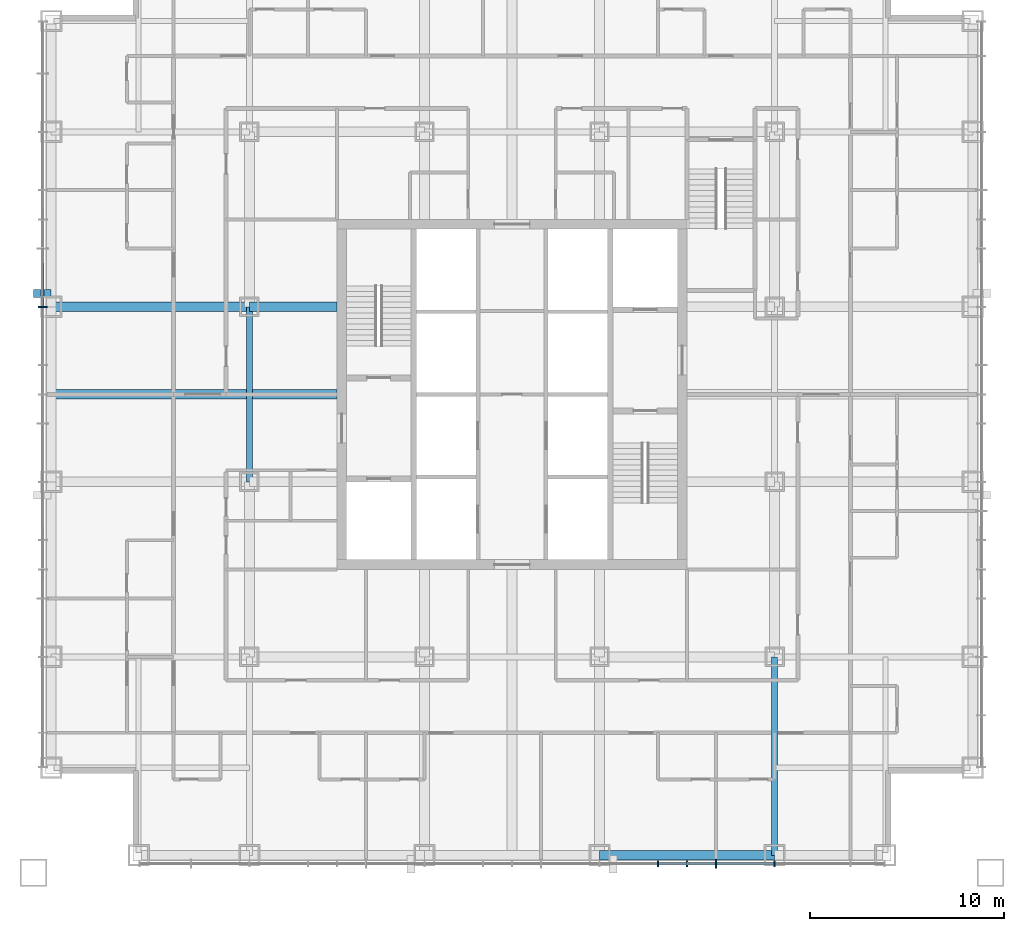
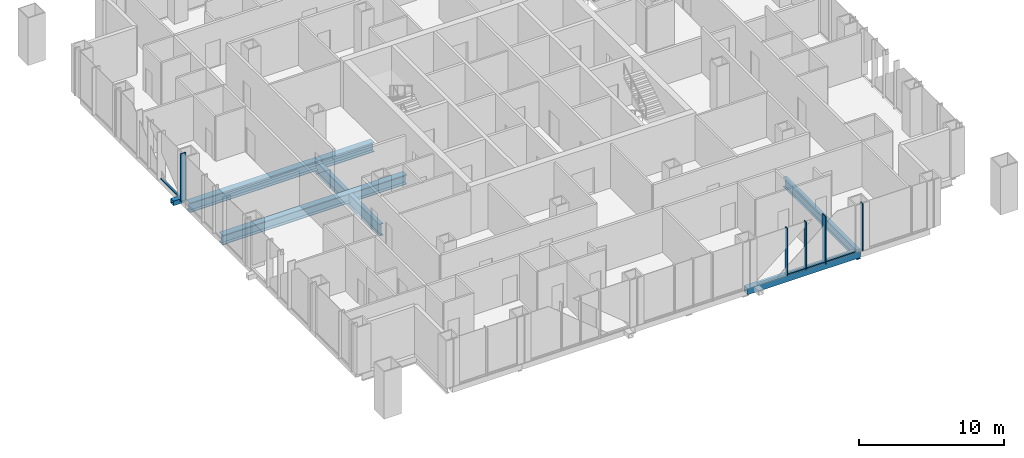
# One storey, part 3 of 18: 10 members, 6 beams, 2 elements without a shape of their own.
"""IFC4 building model written with IfcOpenShell, lengths in metres."""

from ifc_helpers import new_model, si_unit, direction, frame, origin, origin_2d, place, context, subcontext, project, spatial, rectangle, hollow_rectangle, i_section, extrude, material, layer, layer_set, material_profile, profile_set, type_object, element, aggregate, save


model = new_model("IFC4")

# Units and contexts
model_context = context("Model", 3, precision=1e-05, world=origin(), true_north=direction((0.0, 1.0)))
body_context = subcontext(model_context, "Body", "Model", "MODEL_VIEW")
ifc_project = project(units=[si_unit("LENGTHUNIT", "METRE"), si_unit("AREAUNIT", "SQUARE_METRE"), si_unit("VOLUMEUNIT", "CUBIC_METRE"), si_unit("PLANEANGLEUNIT", "RADIAN"), si_unit("MASSUNIT", "GRAM", prefix="KILO")], contexts=[model_context])

# Site, building, storey
site_placement = place(None, origin())
site = spatial("IfcSite", under=ifc_project, at=site_placement, CompositionType="ELEMENT")
building_placement = place(site_placement, origin())
building = spatial("IfcBuilding", under=site, at=building_placement, Name="Malebo Sky Hospital", CompositionType="ELEMENT")
storey_placement = place(building_placement, frame((0.0, 0.0, 124.0)))
storey = spatial("IfcBuildingStorey", under=building, at=storey_placement, Name="L29", CompositionType="ELEMENT", Elevation=124.0)

# Curtain wall, member
ifc_material_1 = material(Name="Anodised aluminium, natural silver", Category="aluminium")
ifc_layer_1 = layer(ifc_material_1, 0.25)
ifc_layer_set_1 = layer_set([ifc_layer_1], Name="WARD CURTAIN WALL EAST AND WEST")
curtain_wall_type_1 = type_object("IfcCurtainWallType", Name="WARD CURTAIN WALL EAST AND WEST", PredefinedType="NOTDEFINED", material=ifc_layer_set_1)
curtain_wall_1_placement = place(storey_placement, origin())
curtain_wall_1 = element("IfcCurtainWall", 1, at=curtain_wall_1_placement, inside=storey, type_object=curtain_wall_type_1, Name="EW curtain wall W", PredefinedType="NOTDEFINED")
ifc_material_profile_1 = material_profile(ifc_material_1, rectangle(XDim=0.14990234375, YDim=0.10009765625, at=origin_2d()), Name="ALUMINIUM TRANSOM 150x100")
ifc_profile_set_1 = profile_set([ifc_material_profile_1], Name="Anodised aluminium, natural silver")
member_type_1 = type_object("IfcMemberType", Name="ALUMINIUM TRANSOM 150x100", PredefinedType="USERDEFINED", material=ifc_profile_set_1)
member_1_placement = place(storey_placement, frame((35.864990234375, 66.53759765625, 0.050048828125), z_axis=(0.0, 1.0, 0.0), x_axis=(-1.0, 0.0, 0.0)))
member_1 = element("IfcMember", 2, at=member_1_placement, type_object=member_type_1, Name="Transom 11", ObjectType="TRANSOM", PredefinedType="USERDEFINED", context=body_context, shape_type="SweptSolid", body=[
    extrude(rectangle(XDim=0.14990234375, YDim=0.10009765625, at=origin_2d()), origin(), (0.0, 0.0, 1.0), 2.9248046875),
])

# Curtain wall, members
ifc_layer_2 = layer(ifc_material_1, 0.25)
ifc_layer_set_2 = layer_set([ifc_layer_2], Name="WARD CURTAIN WALL NORTH AND SOUTH")
curtain_wall_type_2 = type_object("IfcCurtainWallType", Name="WARD CURTAIN WALL NORTH AND SOUTH", PredefinedType="NOTDEFINED", material=ifc_layer_set_2)
curtain_wall_2_placement = place(storey_placement, origin())
curtain_wall_2 = element("IfcCurtainWall", 3, at=curtain_wall_2_placement, inside=storey, type_object=curtain_wall_type_2, Name="NS curtain wall S", PredefinedType="NOTDEFINED")
member_2_placement = place(storey_placement, frame((73.46240234375, 37.864990234375, 0.050048828125), z_axis=(-1.0, 0.0, 0.0), x_axis=(0.0, -1.0, 0.0)))
member_2 = element("IfcMember", 4, at=member_2_placement, type_object=member_type_1, Name="Transom 3", ObjectType="TRANSOM", PredefinedType="USERDEFINED", context=body_context, shape_type="SweptSolid", body=[
    extrude(rectangle(XDim=0.14990234375, YDim=0.10009765625, at=origin_2d()), origin(), (0.0, 0.0, 1.0), 2.9248046875),
])
member_3_placement = place(storey_placement, frame((70.46240234375, 37.864990234375, 0.050048828125), z_axis=(-1.0, 0.0, 0.0), x_axis=(0.0, -1.0, 0.0)))
member_3 = element("IfcMember", 5, at=member_3_placement, type_object=member_type_1, Name="Transom 4", ObjectType="TRANSOM", PredefinedType="USERDEFINED", context=body_context, shape_type="SweptSolid", body=[
    extrude(rectangle(XDim=0.14990234375, YDim=0.10009765625, at=origin_2d()), origin(), (0.0, 0.0, 1.0), 1.4248046875),
])
member_4_placement = place(storey_placement, frame((68.96240234375, 37.864990234375, 0.050048828125), z_axis=(-1.0, 0.0, 0.0), x_axis=(0.0, -1.0, 0.0)))
member_4 = element("IfcMember", 6, at=member_4_placement, type_object=member_type_1, Name="Transom 5", ObjectType="TRANSOM", PredefinedType="USERDEFINED", context=body_context, shape_type="SweptSolid", body=[
    extrude(rectangle(XDim=0.14990234375, YDim=0.10009765625, at=origin_2d()), origin(), (0.0, 0.0, 1.0), 1.4248046875),
])

# Member
ifc_material_2 = material(Name="Steel S355", Category="steel")
ifc_material_profile_2 = material_profile(ifc_material_2, hollow_rectangle(XDim=0.39990234375, YDim=0.39990234375, WallThickness=0.02001953125, at=origin_2d()), Name="SHS 400x20")
ifc_profile_set_2 = profile_set([ifc_material_profile_2], Name="Steel S355")
member_type_2 = type_object("IfcMemberType", Name="BRACE STRUT SHS 400x20", PredefinedType="STRUT", material=ifc_profile_set_2)
member_5_placement = place(storey_placement, frame((35.39990234375, 67.18701171875, -0.39990234375), z_axis=(1.0, 0.0, 0.0), x_axis=(0.0, 1.0, 0.0)))
element("IfcMember", 7, at=member_5_placement, inside=storey, type_object=member_type_2, Name="Brace strut BW2 L29", PredefinedType="STRUT", context=body_context, shape_type="SweptSolid", body=[
    extrude(hollow_rectangle(XDim=0.39990234375, YDim=0.39990234375, WallThickness=0.02001953125, at=origin_2d()), origin(), (0.0, 0.0, 1.0), 0.900146484375),
])

ifc_material_profile_3 = material_profile(ifc_material_1, rectangle(XDim=0.074951171875, YDim=0.300048828125, at=origin_2d()), Name="CW1 ALUMINIUM FIN MULLION 75x300")
ifc_profile_set_3 = profile_set([ifc_material_profile_3], Name="Anodised aluminium, natural silver")
member_type_3 = type_object("IfcMemberType", Name="CW1 ALUMINIUM FIN MULLION 75x300", PredefinedType="MULLION", material=ifc_profile_set_3)
member_6_placement = place(storey_placement, frame((73.5, 37.864990234375, 0.0), z_axis=(0.0, 0.0, 1.0), x_axis=(-1.0, 0.0, 0.0)))
member_6 = element("IfcMember", 8, at=member_6_placement, type_object=member_type_3, Name="Fin mullion 3", PredefinedType="MULLION", context=body_context, shape_type="SweptSolid", body=[
    extrude(rectangle(XDim=0.074951171875, YDim=0.300048828125, at=origin_2d()), origin(), (0.0, 0.0, 1.0), 4.0),
])

member_7_placement = place(storey_placement, frame((69.0, 37.864990234375, 0.0), z_axis=(0.0, 0.0, 1.0), x_axis=(-1.0, 0.0, 0.0)))
member_7 = element("IfcMember", 9, at=member_7_placement, type_object=member_type_3, Name="Fin mullion 5", PredefinedType="MULLION", context=body_context, shape_type="SweptSolid", body=[
    extrude(rectangle(XDim=0.074951171875, YDim=0.300048828125, at=origin_2d()), origin(), (0.0, 0.0, 1.0), 4.0),
])

member_8_placement = place(storey_placement, frame((67.5, 37.864990234375, 0.0), z_axis=(0.0, 0.0, 1.0), x_axis=(-1.0, 0.0, 0.0)))
member_8 = element("IfcMember", 10, at=member_8_placement, type_object=member_type_3, Name="Fin mullion 6", PredefinedType="MULLION", context=body_context, shape_type="SweptSolid", body=[
    extrude(rectangle(XDim=0.074951171875, YDim=0.300048828125, at=origin_2d()), origin(), (0.0, 0.0, 1.0), 4.0),
])

ifc_material_profile_4 = material_profile(ifc_material_1, rectangle(XDim=0.074951171875, YDim=0.449951171875, at=origin_2d()), Name="CW1 ALUMINIUM FIN MULLION 75x450")
ifc_profile_set_4 = profile_set([ifc_material_profile_4], Name="Anodised aluminium, natural silver")
member_type_4 = type_object("IfcMemberType", Name="CW1 ALUMINIUM FIN MULLION 75x450", PredefinedType="MULLION", material=ifc_profile_set_4)
member_9_placement = place(storey_placement, frame((70.5, 37.864990234375, 0.0), z_axis=(0.0, 0.0, 1.0), x_axis=(-1.0, 0.0, 0.0)))
member_9 = element("IfcMember", 11, at=member_9_placement, type_object=member_type_4, Name="Fin mullion 4", PredefinedType="MULLION", context=body_context, shape_type="SweptSolid", body=[
    extrude(rectangle(XDim=0.074951171875, YDim=0.449951171875, at=origin_2d()), origin(), (0.0, 0.0, 1.0), 4.0),
])

aggregate(curtain_wall_2, [member_6, member_9, member_7, member_8, member_2, member_3, member_4])

ifc_material_profile_5 = material_profile(ifc_material_1, rectangle(XDim=0.074951171875, YDim=0.449951171875, at=origin_2d()), Name="CW2 ALUMINIUM FIN MULLION 75x450")
ifc_profile_set_5 = profile_set([ifc_material_profile_5], Name="Anodised aluminium, natural silver")
member_type_5 = type_object("IfcMemberType", Name="CW2 ALUMINIUM FIN MULLION 75x450", PredefinedType="MULLION", material=ifc_profile_set_5)
member_10_placement = place(storey_placement, frame((35.864990234375, 66.5, 0.0), z_axis=(0.0, 0.0, 1.0), x_axis=(0.0, 1.0, 0.0)))
member_10 = element("IfcMember", 12, at=member_10_placement, type_object=member_type_5, Name="Fin mullion 11", PredefinedType="MULLION", context=body_context, shape_type="SweptSolid", body=[
    extrude(rectangle(XDim=0.074951171875, YDim=0.449951171875, at=origin_2d()), origin(), (0.0, 0.0, 1.0), 4.0),
])

aggregate(curtain_wall_1, [member_10, member_1])

# Beams
ifc_material_3 = material(Name="Steel S460", Category="steel")
ifc_material_profile_6 = material_profile(ifc_material_3, hollow_rectangle(XDim=0.5, YDim=0.5, WallThickness=0.030029296875, at=origin_2d()), Name="BOX 500x500x30")
ifc_profile_set_6 = profile_set([ifc_material_profile_6], Name="Steel S460")
beam_type_1 = type_object("IfcBeamType", Name="EDGE BEAM BOX 500x500x30", PredefinedType="BEAM", material=ifc_profile_set_6)
beam_1_placement = place(storey_placement, frame((64.5, 38.300048828125, -0.5), z_axis=(1.0, 0.0, 0.0), x_axis=(0.0, 1.0, 0.0)))
element("IfcBeam", 13, at=beam_1_placement, inside=storey, type_object=beam_type_1, Name="Beam 037 L29", PredefinedType="BEAM", context=body_context, shape_type="SweptSolid", body=[
    extrude(hollow_rectangle(XDim=0.5, YDim=0.5, WallThickness=0.030029296875, at=origin_2d()), origin(), (0.0, 0.0, 1.0), 9.0),
])
ifc_material_profile_7 = material_profile(ifc_material_2, i_section(OverallWidth=0.5, OverallDepth=0.800048828125, WebThickness=0.030029296875, FlangeThickness=0.050048828125, at=origin_2d()), Name="PG 800x500x30x50")
ifc_profile_set_7 = profile_set([ifc_material_profile_7], Name="Steel S355")
beam_type_2 = type_object("IfcBeamType", Name="FLOOR BEAM PG 800x500x30x50", PredefinedType="BEAM", material=ifc_profile_set_7)
beam_2_placement = place(storey_placement, frame((36.300048828125, 62.0, -0.64990234375), z_axis=(1.0, 0.0, 0.0), x_axis=(0.0, 1.0, 0.0)))
element("IfcBeam", 14, at=beam_2_placement, inside=storey, type_object=beam_type_2, Name="Beam 050 L29", PredefinedType="BEAM", context=body_context, shape_type="SweptSolid", body=[
    extrude(i_section(OverallWidth=0.5, OverallDepth=0.800048828125, WebThickness=0.030029296875, FlangeThickness=0.050048828125, at=origin_2d()), origin(), (0.0, 0.0, 1.0), 14.699951171875),
])
beam_3_placement = place(storey_placement, frame((36.300048828125, 66.5, -0.64990234375), z_axis=(1.0, 0.0, 0.0), x_axis=(0.0, 1.0, 0.0)))
element("IfcBeam", 15, at=beam_3_placement, inside=storey, type_object=beam_type_2, Name="Beam 052 L29", PredefinedType="BEAM", context=body_context, shape_type="SweptSolid", body=[
    extrude(i_section(OverallWidth=0.5, OverallDepth=0.800048828125, WebThickness=0.030029296875, FlangeThickness=0.050048828125, at=origin_2d()), origin(), (0.0, 0.0, 1.0), 10.199951171875),
])
beam_4_placement = place(storey_placement, frame((46.5, 66.5, -0.64990234375), z_axis=(1.0, 0.0, 0.0), x_axis=(0.0, 1.0, 0.0)))
element("IfcBeam", 16, at=beam_4_placement, inside=storey, type_object=beam_type_2, Name="Beam 053 L29", PredefinedType="BEAM", context=body_context, shape_type="SweptSolid", body=[
    extrude(i_section(OverallWidth=0.5, OverallDepth=0.800048828125, WebThickness=0.030029296875, FlangeThickness=0.050048828125, at=origin_2d()), origin(), (0.0, 0.0, 1.0), 4.5),
])
ifc_material_profile_8 = material_profile(ifc_material_2, i_section(OverallWidth=0.300048828125, OverallDepth=0.800048828125, WebThickness=0.017578125, FlangeThickness=0.032958984375, FilletRadius=0.030029296875, at=origin_2d()), Name="HEB 800")
ifc_profile_set_8 = profile_set([ifc_material_profile_8], Name="Steel S355")
beam_type_3 = type_object("IfcBeamType", Name="FLOOR GIRDER HEB 800", PredefinedType="BEAM", material=ifc_profile_set_8)
beam_5_placement = place(storey_placement, frame((73.5, 38.300048828125, -0.64990234375), z_axis=(0.0, 1.0, 0.0), x_axis=(-1.0, 0.0, 0.0)))
element("IfcBeam", 17, at=beam_5_placement, inside=storey, type_object=beam_type_3, Name="Beam 022 L29", PredefinedType="BEAM", context=body_context, shape_type="SweptSolid", body=[
    extrude(i_section(OverallWidth=0.300048828125, OverallDepth=0.800048828125, WebThickness=0.017578125, FlangeThickness=0.032958984375, FilletRadius=0.030029296875, at=origin_2d()), origin(), (0.0, 0.0, 1.0), 10.199951171875),
])
ifc_material_profile_9 = material_profile(ifc_material_2, i_section(OverallWidth=0.300048828125, OverallDepth=1.0, WebThickness=0.01904296875, FlangeThickness=0.035888671875, FilletRadius=0.030029296875, at=origin_2d()), Name="HEB 1000")
ifc_profile_set_9 = profile_set([ifc_material_profile_9], Name="Steel S355")
beam_type_4 = type_object("IfcBeamType", Name="RING GIRDER HEB 1000", PredefinedType="BEAM", material=ifc_profile_set_9)
beam_6_placement = place(storey_placement, frame((46.5, 57.5, -0.75), z_axis=(0.0, 1.0, 0.0), x_axis=(-1.0, 0.0, 0.0)))
element("IfcBeam", 18, at=beam_6_placement, inside=storey, type_object=beam_type_4, Name="Beam 009 L29", PredefinedType="BEAM", context=body_context, shape_type="SweptSolid", body=[
    extrude(i_section(OverallWidth=0.300048828125, OverallDepth=1.0, WebThickness=0.01904296875, FlangeThickness=0.035888671875, FilletRadius=0.030029296875, at=origin_2d()), origin(), (0.0, 0.0, 1.0), 9.0),
])

save(model, "model.ifc")
